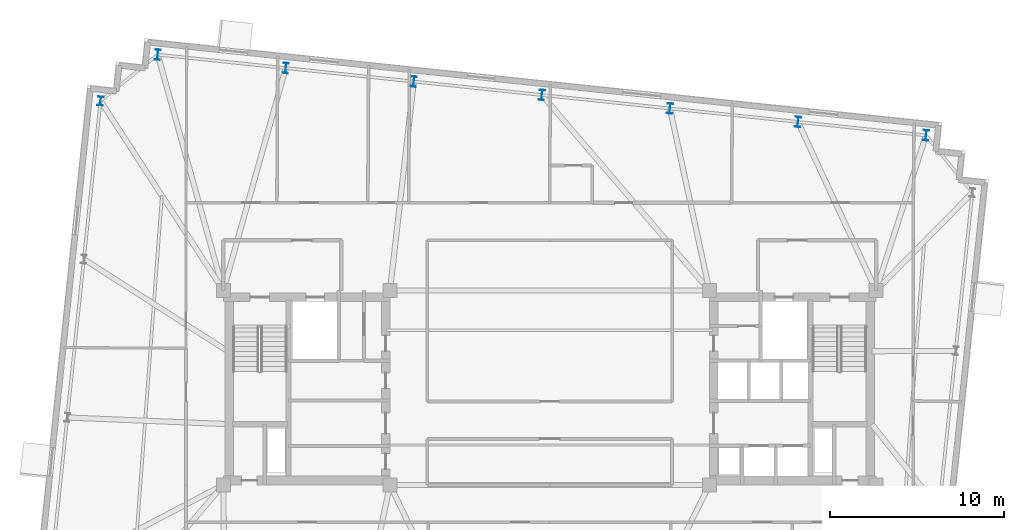
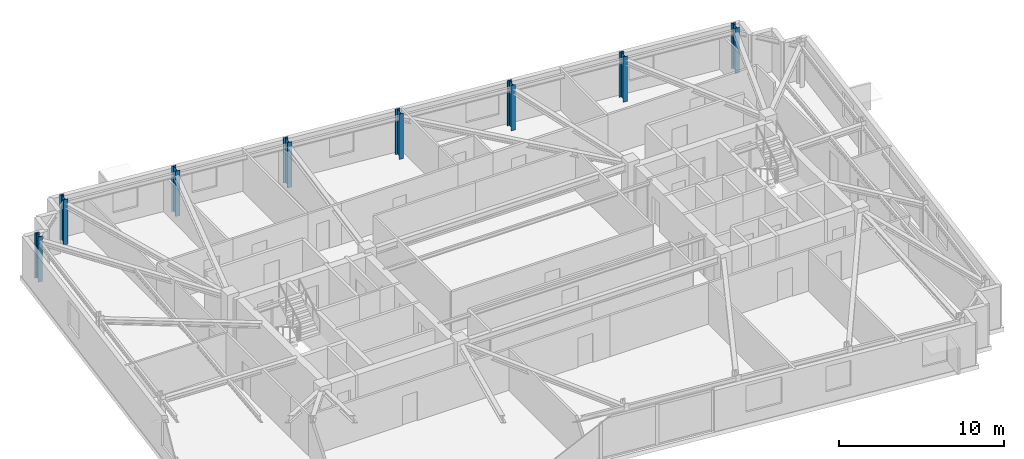
# One storey, part 3 of 13: 8 columns.
"""IFC4 building model written with IfcOpenShell, lengths in metres."""

from ifc_helpers import new_model, si_unit, direction, frame, origin, origin_2d, place, context, subcontext, project, spatial, i_section, extrude, material, material_profile, profile_set, type_object, element, save


model = new_model("IFC4")

# Units and contexts
model_context = context("Model", 3, precision=1e-05, world=origin(), true_north=direction((0.0, 1.0)))
body_context = subcontext(model_context, "Body", "Model", "MODEL_VIEW")
ifc_project = project(units=[si_unit("LENGTHUNIT", "METRE"), si_unit("AREAUNIT", "SQUARE_METRE"), si_unit("VOLUMEUNIT", "CUBIC_METRE"), si_unit("PLANEANGLEUNIT", "RADIAN"), si_unit("MASSUNIT", "GRAM", prefix="KILO")], contexts=[model_context])

# Site, building, storey
site_placement = place(None, origin())
site = spatial("IfcSite", under=ifc_project, at=site_placement, CompositionType="ELEMENT")
building_placement = place(site_placement, origin())
building = spatial("IfcBuilding", under=site, at=building_placement, Name="Qobustan Lattice House", CompositionType="ELEMENT")
storey_placement = place(building_placement, frame((0.0, 0.0, 196.39990234375)))
storey = spatial("IfcBuildingStorey", under=building, at=storey_placement, Name="L55", CompositionType="ELEMENT", Elevation=196.39990234375)

# Columns
ifc_material_1 = material(Name="Steel S355", Category="steel")
ifc_material_profile_1 = material_profile(ifc_material_1, i_section(OverallWidth=0.300048828125, OverallDepth=0.5, WebThickness=0.014404296875, FlangeThickness=0.028076171875, FilletRadius=0.027099609375, at=origin_2d()), Name="HEB500")
ifc_profile_set_1 = profile_set([ifc_material_profile_1], Name="Steel S355")
column_type_1 = type_object("IfcColumnType", Name="COL-ST-HEB500", PredefinedType="COLUMN", material=ifc_profile_set_1)
column_placement = place(storey_placement, frame((-25.87451171875, 16.513916015625, 0.0), z_axis=(0.0, 0.0, 1.0), x_axis=(0.994521895368, -0.104528463268, 0.0)))
element("IfcColumn", 1, at=column_placement, inside=storey, type_object=column_type_1, Name="L55 B4 perimeter column W1", PredefinedType="COLUMN", context=body_context, shape_type="SweptSolid", body=[
    extrude(i_section(OverallWidth=0.300048828125, OverallDepth=0.5, WebThickness=0.014404296875, FlangeThickness=0.028076171875, FilletRadius=0.027099609375, at=origin_2d()), origin(), (0.0, 0.0, 1.0), 3.35009765625),
])
ifc_material_2 = material(Name="Steel S355", Category="steel")
ifc_material_profile_2 = material_profile(ifc_material_2, i_section(OverallWidth=0.300048828125, OverallDepth=0.60009765625, WebThickness=0.015380859375, FlangeThickness=0.030029296875, FilletRadius=0.027099609375, at=origin_2d()), Name="HEB600")
ifc_profile_set_2 = profile_set([ifc_material_profile_2], Name="Steel S355")
column_type_2 = type_object("IfcColumnType", Name="COL-ST-HEB600", PredefinedType="COLUMN", material=ifc_profile_set_2)
for number, where, z_axis, x_axis, name in (
    (2, (21.678955078125, 14.532470703125, 0.0), (0.0, 0.0, 1.0), (0.994521895368, -0.104528463268, 0.0), "L55 B4 perimeter column N1"),
    (3, (14.302978515625, 15.3076171875, 0.0), (0.0, 0.0, 1.0), (0.994521895368, -0.104528463268, 0.0), "L55 B4 perimeter column N2"),
    (4, (6.927001953125, 16.0830078125, 0.0), (0.0, 0.0, 1.0), (0.994521895368, -0.104528463268, 0.0), "L55 B4 perimeter column N3"),
    (5, (-0.44921875, 16.858154296875, 0.0), (0.0, 0.0, 1.0), (0.994521895368, -0.104528463268, 0.0), "L55 B4 perimeter column N4"),
    (6, (-7.8251953125, 17.633544921875, 0.0), (0.0, 0.0, 1.0), (0.994521895368, -0.104528463268, 0.0), "L55 B4 perimeter column N5"),
    (7, (-15.201171875, 18.40869140625, 0.0), (0.0, 0.0, 1.0), (0.994521895368, -0.104528463268, 0.0), "L55 B4 perimeter column N6"),
    (8, (-22.577392578125, 19.18408203125, 0.0), (0.0, 0.0, 1.0), (0.994521895368, -0.104528463268, 0.0), "L55 B4 perimeter column N7"),
):
    element("IfcColumn", number, at=place(storey_placement, frame(where, z_axis=z_axis, x_axis=x_axis)), inside=storey, type_object=column_type_2, Name=name, PredefinedType="COLUMN", context=body_context, shape_type="SweptSolid", body=[
        extrude(i_section(OverallWidth=0.300048828125, OverallDepth=0.60009765625, WebThickness=0.015380859375, FlangeThickness=0.030029296875, FilletRadius=0.027099609375, at=origin_2d()), origin(), (0.0, 0.0, 1.0), 3.35009765625),
    ])

save(model, "model.ifc")
